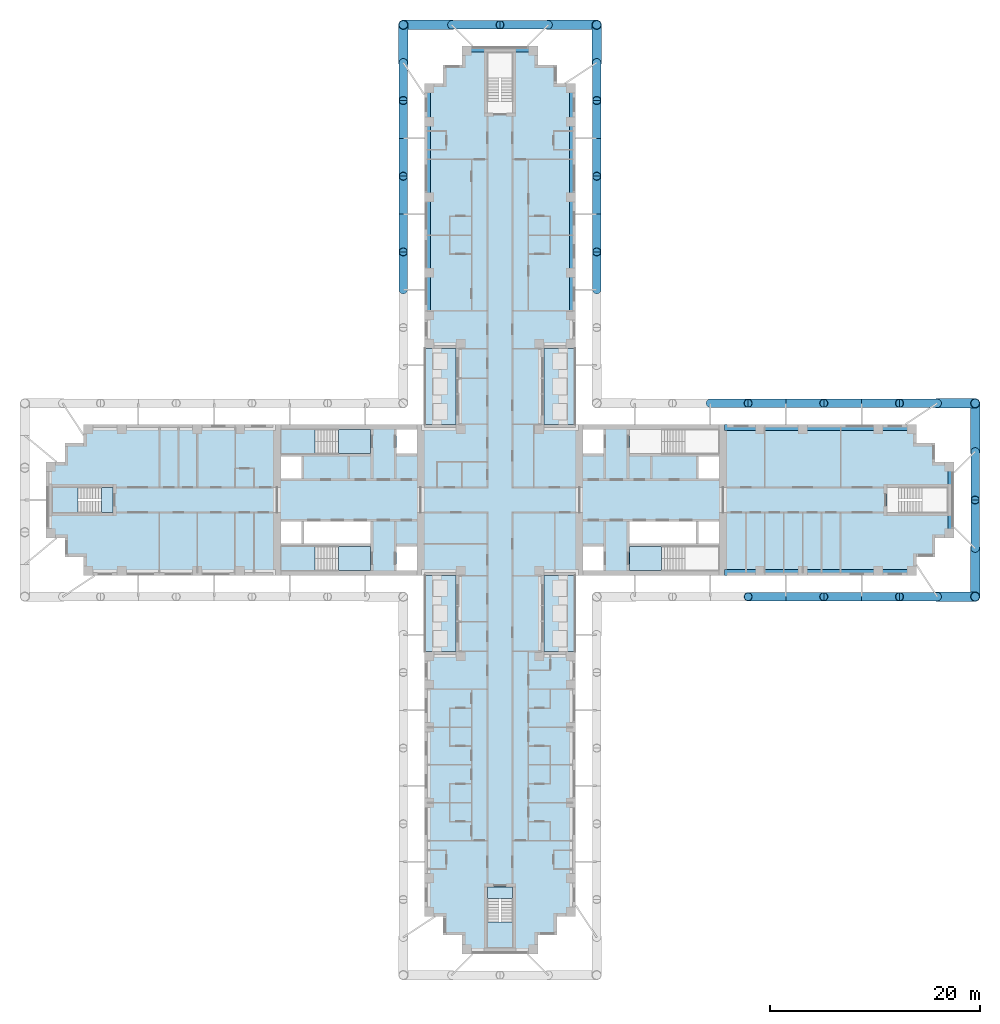
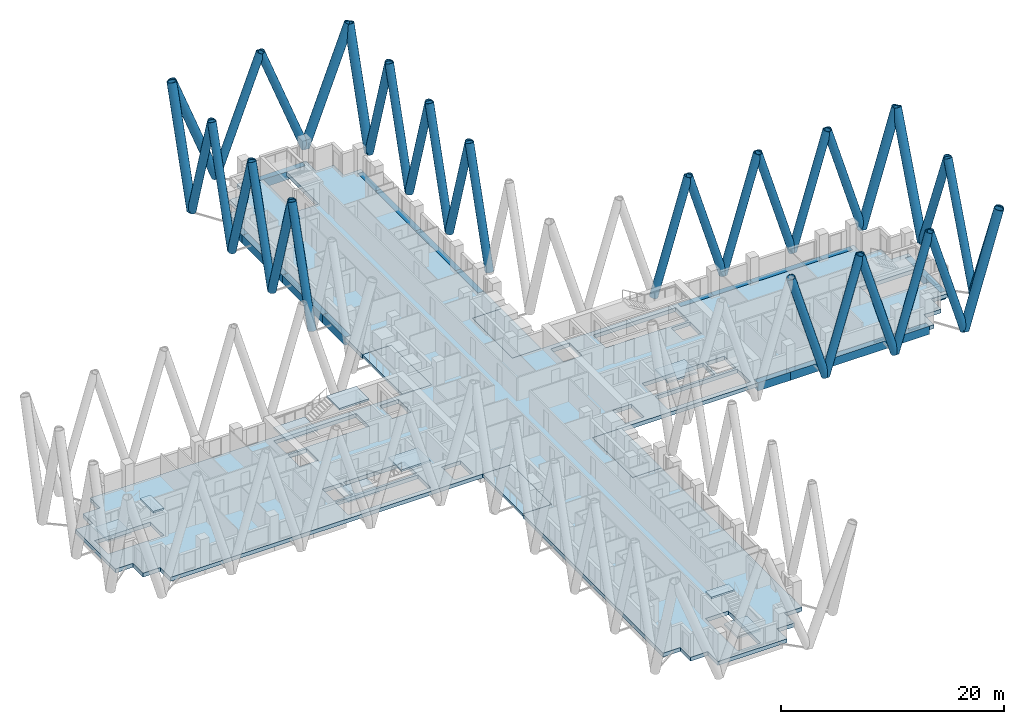
# One storey, part 2 of 16: 35 members, 18 beams, 14 slabs, 5 elements without a shape of their own.
"""IFC4 building model written with IfcOpenShell, lengths in metres."""

from ifc_helpers import new_model, si_unit, direction, frame, origin, origin_2d, place, context, subcontext, project, spatial, polyline, rectangle, hollow_circle, outline, extrude, material, layer, layer_set, material_profile, profile_set, type_object, element, aggregate, save


model = new_model("IFC4")

# Units and contexts
model_context = context("Model", 3, precision=1e-05, world=origin(), true_north=direction((0.0, 1.0)))
body_context = subcontext(model_context, "Body", "Model", "MODEL_VIEW")
ifc_project = project(units=[si_unit("LENGTHUNIT", "METRE"), si_unit("AREAUNIT", "SQUARE_METRE"), si_unit("VOLUMEUNIT", "CUBIC_METRE"), si_unit("PLANEANGLEUNIT", "RADIAN"), si_unit("MASSUNIT", "GRAM", prefix="KILO")], contexts=[model_context])

# Site, building, storey
site_placement = place(None, origin())
site = spatial("IfcSite", under=ifc_project, at=site_placement, CompositionType="ELEMENT")
building_placement = place(site_placement, origin())
building = spatial("IfcBuilding", under=site, at=building_placement, Name="Fustian Cross Tower", CompositionType="ELEMENT")
storey_placement = place(building_placement, frame((0.0, 0.0, 20.699951171875)))
storey = spatial("IfcBuildingStorey", under=building, at=storey_placement, Name="L05", CompositionType="ELEMENT", Elevation=20.699951171875)

# Members
ifc_material_1 = material(Name="Steel S355", Category="steel")
ifc_material_profile_1 = material_profile(ifc_material_1, hollow_circle(Radius=0.406494140625, WallThickness=0.0400390625, at=origin_2d()), Name="CHS 813x40")
ifc_profile_set_1 = profile_set([ifc_material_profile_1], Name="Steel S355")
member_type_1 = type_object("IfcMemberType", Name="DIAGRID DIAGONAL CHS 813x40", PredefinedType="BRACE", material=ifc_profile_set_1)
for number, where, z_axis, x_axis, name in (
    (1, (27.199951171875, -9.199951171875, 0.0), (-0.287337158709, 0.0, 0.957829503213), (0.0, -1.0, 0.0), "Diagrid diagonal E-S 05"),
    (2, (27.199951171875, -9.199951171875, 0.0), (0.287355036744, 0.0, 0.957824139839), (0.0, 1.0, 0.0), "Diagrid diagonal E-S 06"),
    (3, (34.39990234375, -9.199951171875, 0.0), (-0.287337158709, 0.0, 0.957829503213), (0.0, -1.0, 0.0), "Diagrid diagonal E-S 07"),
    (4, (34.39990234375, -9.199951171875, 0.0), (0.287355036744, 0.0, 0.957824139839), (0.0, 1.0, 0.0), "Diagrid diagonal E-S 08"),
    (5, (41.60009765625, -9.199951171875, 0.0), (-0.287355036744, 0.0, 0.957824139839), (0.0, -1.0, 0.0), "Diagrid diagonal E-S 09"),
):
    element("IfcMember", number, at=place(storey_placement, frame(where, z_axis=z_axis, x_axis=x_axis)), inside=storey, type_object=member_type_1, Name=name, PredefinedType="BRACE", context=body_context, shape_type="SweptSolid", body=[
        extrude(hollow_circle(Radius=0.406494140625, WallThickness=0.0400390625, at=origin_2d()), origin(), (0.0, 0.0, 1.0), 12.5283203125),
    ])
for number, where, z_axis, x_axis, name in (
    (6, (45.199951171875, -4.60009765625, 0.0), (0.0, 0.3579426369, 0.933743577589), (-1.0, 0.0, 0.0), "Diagrid diagonal E-end 02"),
    (7, (45.199951171875, 4.60009765625, 0.0), (0.0, -0.3579426369, 0.933743577589), (1.0, 0.0, 0.0), "Diagrid diagonal E-end 03"),
):
    element("IfcMember", number, at=place(storey_placement, frame(where, z_axis=z_axis, x_axis=x_axis)), inside=storey, type_object=member_type_1, Name=name, PredefinedType="BRACE", context=body_context, shape_type="SweptSolid", body=[
        extrude(hollow_circle(Radius=0.406494140625, WallThickness=0.0400390625, at=origin_2d()), origin(), (0.0, 0.0, 1.0), 12.8515625),
    ])
for number, where, z_axis, x_axis, name in (
    (8, (41.60009765625, 9.199951171875, 0.0), (-0.287355036744, 0.0, 0.957824139839), (0.0, -1.0, 0.0), "Diagrid diagonal E-N 02"),
    (9, (34.39990234375, 9.199951171875, 0.0), (0.287355036744, 0.0, 0.957824139839), (0.0, 1.0, 0.0), "Diagrid diagonal E-N 03"),
    (10, (34.39990234375, 9.199951171875, 0.0), (-0.287337158709, 0.0, 0.957829503213), (0.0, -1.0, 0.0), "Diagrid diagonal E-N 04"),
    (11, (27.199951171875, 9.199951171875, 0.0), (0.287355036744, 0.0, 0.957824139839), (0.0, 1.0, 0.0), "Diagrid diagonal E-N 05"),
    (12, (27.199951171875, 9.199951171875, 0.0), (-0.287337158709, 0.0, 0.957829503213), (0.0, -1.0, 0.0), "Diagrid diagonal E-N 06"),
    (13, (20.0, 9.199951171875, 0.0), (0.287355036744, 0.0, 0.957824139839), (0.0, 1.0, 0.0), "Diagrid diagonal E-N 07"),
    (14, (9.199951171875, 20.0, 0.0), (0.0, 0.287355036744, 0.957824139839), (-1.0, 0.0, 0.0), "Diagrid diagonal N-E 04"),
    (15, (9.199951171875, 27.199951171875, 0.0), (0.0, -0.287337158709, 0.957829503213), (1.0, 0.0, 0.0), "Diagrid diagonal N-E 05"),
    (16, (9.199951171875, 27.199951171875, 0.0), (0.0, 0.287355036744, 0.957824139839), (-1.0, 0.0, 0.0), "Diagrid diagonal N-E 06"),
    (17, (9.199951171875, 34.39990234375, 0.0), (0.0, -0.287337158709, 0.957829503213), (1.0, 0.0, 0.0), "Diagrid diagonal N-E 07"),
    (18, (9.199951171875, 34.39990234375, 0.0), (0.0, 0.287355036744, 0.957824139839), (-1.0, 0.0, 0.0), "Diagrid diagonal N-E 08"),
    (19, (9.199951171875, 41.60009765625, 0.0), (0.0, -0.287355036744, 0.957824139839), (1.0, 0.0, 0.0), "Diagrid diagonal N-E 09"),
):
    element("IfcMember", number, at=place(storey_placement, frame(where, z_axis=z_axis, x_axis=x_axis)), inside=storey, type_object=member_type_1, Name=name, PredefinedType="BRACE", context=body_context, shape_type="SweptSolid", body=[
        extrude(hollow_circle(Radius=0.406494140625, WallThickness=0.0400390625, at=origin_2d()), origin(), (0.0, 0.0, 1.0), 12.5283203125),
    ])
for number, where, z_axis, x_axis, name in (
    (20, (4.60009765625, 45.199951171875, 0.0), (-0.3579426369, 0.0, 0.933743577589), (0.0, -1.0, 0.0), "Diagrid diagonal N-end 02"),
    (21, (-4.60009765625, 45.199951171875, 0.0), (0.3579426369, 0.0, 0.933743577589), (0.0, 1.0, 0.0), "Diagrid diagonal N-end 03"),
):
    element("IfcMember", number, at=place(storey_placement, frame(where, z_axis=z_axis, x_axis=x_axis)), inside=storey, type_object=member_type_1, Name=name, PredefinedType="BRACE", context=body_context, shape_type="SweptSolid", body=[
        extrude(hollow_circle(Radius=0.406494140625, WallThickness=0.0400390625, at=origin_2d()), origin(), (0.0, 0.0, 1.0), 12.8515625),
    ])
for number, where, z_axis, x_axis, name in (
    (22, (-9.199951171875, 41.60009765625, 0.0), (0.0, -0.287355036744, 0.957824139839), (1.0, 0.0, 0.0), "Diagrid diagonal N-W 02"),
    (23, (-9.199951171875, 34.39990234375, 0.0), (0.0, 0.287355036744, 0.957824139839), (-1.0, 0.0, 0.0), "Diagrid diagonal N-W 03"),
    (24, (-9.199951171875, 34.39990234375, 0.0), (0.0, -0.287337158709, 0.957829503213), (1.0, 0.0, 0.0), "Diagrid diagonal N-W 04"),
    (25, (-9.199951171875, 27.199951171875, 0.0), (0.0, 0.287355036744, 0.957824139839), (-1.0, 0.0, 0.0), "Diagrid diagonal N-W 05"),
    (26, (-9.199951171875, 27.199951171875, 0.0), (0.0, -0.287337158709, 0.957829503213), (1.0, 0.0, 0.0), "Diagrid diagonal N-W 06"),
    (27, (-9.199951171875, 20.0, 0.0), (0.0, 0.287355036744, 0.957824139839), (-1.0, 0.0, 0.0), "Diagrid diagonal N-W 07"),
):
    element("IfcMember", number, at=place(storey_placement, frame(where, z_axis=z_axis, x_axis=x_axis)), inside=storey, type_object=member_type_1, Name=name, PredefinedType="BRACE", context=body_context, shape_type="SweptSolid", body=[
        extrude(hollow_circle(Radius=0.406494140625, WallThickness=0.0400390625, at=origin_2d()), origin(), (0.0, 0.0, 1.0), 12.5283203125),
    ])
ifc_material_2 = material(Name="Steel S355", Category="steel")
ifc_material_profile_2 = material_profile(ifc_material_2, hollow_circle(Radius=0.457275390625, WallThickness=0.050048828125, at=origin_2d()), Name="CHS 914x50")
ifc_profile_set_2 = profile_set([ifc_material_profile_2], Name="Steel S355")
member_type_2 = type_object("IfcMemberType", Name="DIAGRID DIAGONAL CHS 914x50", PredefinedType="BRACE", material=ifc_profile_set_2)
member_1_placement = place(storey_placement, frame((41.60009765625, -9.199951171875, 0.0), z_axis=(0.287337158709, 0.0, 0.957829503213), x_axis=(0.0, 1.0, 0.0)))
element("IfcMember", 28, at=member_1_placement, inside=storey, type_object=member_type_2, Name="Diagrid diagonal E-S 10", PredefinedType="BRACE", context=body_context, shape_type="SweptSolid", body=[
    extrude(hollow_circle(Radius=0.457275390625, WallThickness=0.050048828125, at=origin_2d()), origin(), (0.0, 0.0, 1.0), 12.5283203125),
])
for number, where, z_axis, x_axis, name in (
    (29, (45.199951171875, -4.60009765625, 0.0), (0.0, -0.357926073629, 0.933749926809), (1.0, 0.0, 0.0), "Diagrid diagonal E-end 01"),
    (30, (45.199951171875, 4.60009765625, 0.0), (0.0, 0.357926073629, 0.933749926809), (-1.0, 0.0, 0.0), "Diagrid diagonal E-end 04"),
):
    element("IfcMember", number, at=place(storey_placement, frame(where, z_axis=z_axis, x_axis=x_axis)), inside=storey, type_object=member_type_2, Name=name, PredefinedType="BRACE", context=body_context, shape_type="SweptSolid", body=[
        extrude(hollow_circle(Radius=0.457275390625, WallThickness=0.050048828125, at=origin_2d()), origin(), (0.0, 0.0, 1.0), 12.851318359375),
    ])
for number, where, z_axis, x_axis, name in (
    (31, (41.60009765625, 9.199951171875, 0.0), (0.287337158709, 0.0, 0.957829503213), (0.0, 1.0, 0.0), "Diagrid diagonal E-N 01"),
    (32, (9.199951171875, 41.60009765625, 0.0), (0.0, 0.287337158709, 0.957829503213), (-1.0, 0.0, 0.0), "Diagrid diagonal N-E 10"),
):
    element("IfcMember", number, at=place(storey_placement, frame(where, z_axis=z_axis, x_axis=x_axis)), inside=storey, type_object=member_type_2, Name=name, PredefinedType="BRACE", context=body_context, shape_type="SweptSolid", body=[
        extrude(hollow_circle(Radius=0.457275390625, WallThickness=0.050048828125, at=origin_2d()), origin(), (0.0, 0.0, 1.0), 12.5283203125),
    ])
for number, where, z_axis, x_axis, name in (
    (33, (4.60009765625, 45.199951171875, 0.0), (0.357926073629, 0.0, 0.933749926809), (0.0, 1.0, 0.0), "Diagrid diagonal N-end 01"),
    (34, (-4.60009765625, 45.199951171875, 0.0), (-0.357926073629, 0.0, 0.933749926809), (0.0, -1.0, 0.0), "Diagrid diagonal N-end 04"),
):
    element("IfcMember", number, at=place(storey_placement, frame(where, z_axis=z_axis, x_axis=x_axis)), inside=storey, type_object=member_type_2, Name=name, PredefinedType="BRACE", context=body_context, shape_type="SweptSolid", body=[
        extrude(hollow_circle(Radius=0.457275390625, WallThickness=0.050048828125, at=origin_2d()), origin(), (0.0, 0.0, 1.0), 12.851318359375),
    ])
member_2_placement = place(storey_placement, frame((-9.199951171875, 41.60009765625, 0.0), z_axis=(0.0, 0.287337158709, 0.957829503213), x_axis=(-1.0, 0.0, 0.0)))
element("IfcMember", 35, at=member_2_placement, inside=storey, type_object=member_type_2, Name="Diagrid diagonal N-W 01", PredefinedType="BRACE", context=body_context, shape_type="SweptSolid", body=[
    extrude(hollow_circle(Radius=0.457275390625, WallThickness=0.050048828125, at=origin_2d()), origin(), (0.0, 0.0, 1.0), 12.5283203125),
])

# Beams
ifc_material_3 = material(Name="Concrete C50/60", Category="concrete")
ifc_material_profile_3 = material_profile(ifc_material_3, rectangle(XDim=0.60009765625, YDim=0.89990234375, at=origin_2d()), Name="RC 600x900")
ifc_profile_set_3 = profile_set([ifc_material_profile_3], Name="Concrete C50/60")
beam_type = type_object("IfcBeamType", Name="EDGE BEAM RC 600x900 C50/60", PredefinedType="SPANDREL", material=ifc_profile_set_3)
beam_1_placement = place(storey_placement, frame((21.35009765625, -6.89990234375, -0.449951171875), z_axis=(1.0, 0.0, 0.0), x_axis=(0.0, 1.0, 0.0)))
element("IfcBeam", 36, at=beam_1_placement, inside=storey, type_object=beam_type, Name="EDGE BEAM L05-01", PredefinedType="SPANDREL", context=body_context, shape_type="SweptSolid", body=[
    extrude(rectangle(XDim=0.60009765625, YDim=0.89990234375, at=origin_2d()), origin(), (0.0, 0.0, 1.0), 3.39990234375),
])
beam_2_placement = place(storey_placement, frame((24.75, -6.89990234375, -0.449951171875), z_axis=(1.0, 0.0, 0.0), x_axis=(0.0, 1.0, 0.0)))
element("IfcBeam", 37, at=beam_2_placement, inside=storey, type_object=beam_type, Name="EDGE BEAM L05-02", PredefinedType="SPANDREL", context=body_context, shape_type="SweptSolid", body=[
    extrude(rectangle(XDim=0.60009765625, YDim=0.89990234375, at=origin_2d()), origin(), (0.0, 0.0, 1.0), 4.050048828125),
])
beam_3_placement = place(storey_placement, frame((28.800048828125, -6.89990234375, -0.449951171875), z_axis=(1.0, 0.0, 0.0), x_axis=(0.0, 1.0, 0.0)))
element("IfcBeam", 38, at=beam_3_placement, inside=storey, type_object=beam_type, Name="EDGE BEAM L05-03", PredefinedType="SPANDREL", context=body_context, shape_type="SweptSolid", body=[
    extrude(rectangle(XDim=0.60009765625, YDim=0.89990234375, at=origin_2d()), origin(), (0.0, 0.0, 1.0), 7.199951171875),
])
beam_4_placement = place(storey_placement, frame((36.0, -6.89990234375, -0.449951171875), z_axis=(1.0, 0.0, 0.0), x_axis=(0.0, 1.0, 0.0)))
element("IfcBeam", 39, at=beam_4_placement, inside=storey, type_object=beam_type, Name="EDGE BEAM L05-04", PredefinedType="SPANDREL", context=body_context, shape_type="SweptSolid", body=[
    extrude(rectangle(XDim=0.60009765625, YDim=0.89990234375, at=origin_2d()), origin(), (0.0, 0.0, 1.0), 3.14990234375),
])
beam_5_placement = place(storey_placement, frame((42.89990234375, -3.14990234375, -0.449951171875), z_axis=(0.0, 1.0, 0.0), x_axis=(-1.0, 0.0, 0.0)))
element("IfcBeam", 40, at=beam_5_placement, inside=storey, type_object=beam_type, Name="EDGE BEAM L05-05", PredefinedType="SPANDREL", context=body_context, shape_type="SweptSolid", body=[
    extrude(rectangle(XDim=0.60009765625, YDim=0.89990234375, at=origin_2d()), origin(), (0.0, 0.0, 1.0), 6.2998046875),
])
beam_6_placement = place(storey_placement, frame((39.14990234375, 6.89990234375, -0.449951171875), z_axis=(-1.0, 0.0, 0.0), x_axis=(0.0, -1.0, 0.0)))
element("IfcBeam", 41, at=beam_6_placement, inside=storey, type_object=beam_type, Name="EDGE BEAM L05-06", PredefinedType="SPANDREL", context=body_context, shape_type="SweptSolid", body=[
    extrude(rectangle(XDim=0.60009765625, YDim=0.89990234375, at=origin_2d()), origin(), (0.0, 0.0, 1.0), 3.14990234375),
])
beam_7_placement = place(storey_placement, frame((36.0, 6.89990234375, -0.449951171875), z_axis=(-1.0, 0.0, 0.0), x_axis=(0.0, -1.0, 0.0)))
element("IfcBeam", 42, at=beam_7_placement, inside=storey, type_object=beam_type, Name="EDGE BEAM L05-07", PredefinedType="SPANDREL", context=body_context, shape_type="SweptSolid", body=[
    extrude(rectangle(XDim=0.60009765625, YDim=0.89990234375, at=origin_2d()), origin(), (0.0, 0.0, 1.0), 7.199951171875),
])
beam_8_placement = place(storey_placement, frame((28.800048828125, 6.89990234375, -0.449951171875), z_axis=(-1.0, 0.0, 0.0), x_axis=(0.0, -1.0, 0.0)))
element("IfcBeam", 43, at=beam_8_placement, inside=storey, type_object=beam_type, Name="EDGE BEAM L05-08", PredefinedType="SPANDREL", context=body_context, shape_type="SweptSolid", body=[
    extrude(rectangle(XDim=0.60009765625, YDim=0.89990234375, at=origin_2d()), origin(), (0.0, 0.0, 1.0), 4.050048828125),
])
beam_9_placement = place(storey_placement, frame((24.75, 6.89990234375, -0.449951171875), z_axis=(-1.0, 0.0, 0.0), x_axis=(0.0, -1.0, 0.0)))
element("IfcBeam", 44, at=beam_9_placement, inside=storey, type_object=beam_type, Name="EDGE BEAM L05-09", PredefinedType="SPANDREL", context=body_context, shape_type="SweptSolid", body=[
    extrude(rectangle(XDim=0.60009765625, YDim=0.89990234375, at=origin_2d()), origin(), (0.0, 0.0, 1.0), 3.39990234375),
])
beam_10_placement = place(storey_placement, frame((6.89990234375, 17.550048828125, -0.449951171875), z_axis=(0.0, 1.0, 0.0), x_axis=(-1.0, 0.0, 0.0)))
element("IfcBeam", 45, at=beam_10_placement, inside=storey, type_object=beam_type, Name="EDGE BEAM L05-14", PredefinedType="SPANDREL", context=body_context, shape_type="SweptSolid", body=[
    extrude(rectangle(XDim=0.60009765625, YDim=0.89990234375, at=origin_2d()), origin(), (0.0, 0.0, 1.0), 4.050048828125),
])
for number, where, z_axis, x_axis, name in (
    (46, (6.89990234375, 21.60009765625, -0.449951171875), (0.0, 1.0, 0.0), (-1.0, 0.0, 0.0), "EDGE BEAM L05-15"),
    (47, (6.89990234375, 28.800048828125, -0.449951171875), (0.0, 1.0, 0.0), (-1.0, 0.0, 0.0), "EDGE BEAM L05-16"),
):
    element("IfcBeam", number, at=place(storey_placement, frame(where, z_axis=z_axis, x_axis=x_axis)), inside=storey, type_object=beam_type, Name=name, PredefinedType="SPANDREL", context=body_context, shape_type="SweptSolid", body=[
        extrude(rectangle(XDim=0.60009765625, YDim=0.89990234375, at=origin_2d()), origin(), (0.0, 0.0, 1.0), 7.199951171875),
    ])
beam_11_placement = place(storey_placement, frame((6.89990234375, 36.0, -0.449951171875), z_axis=(0.0, 1.0, 0.0), x_axis=(-1.0, 0.0, 0.0)))
element("IfcBeam", 48, at=beam_11_placement, inside=storey, type_object=beam_type, Name="EDGE BEAM L05-17", PredefinedType="SPANDREL", context=body_context, shape_type="SweptSolid", body=[
    extrude(rectangle(XDim=0.60009765625, YDim=0.89990234375, at=origin_2d()), origin(), (0.0, 0.0, 1.0), 3.14990234375),
])
beam_12_placement = place(storey_placement, frame((3.14990234375, 42.89990234375, -0.449951171875), z_axis=(-1.0, 0.0, 0.0), x_axis=(0.0, -1.0, 0.0)))
element("IfcBeam", 49, at=beam_12_placement, inside=storey, type_object=beam_type, Name="EDGE BEAM L05-18", PredefinedType="SPANDREL", context=body_context, shape_type="SweptSolid", body=[
    extrude(rectangle(XDim=0.60009765625, YDim=0.89990234375, at=origin_2d()), origin(), (0.0, 0.0, 1.0), 6.2998046875),
])
beam_13_placement = place(storey_placement, frame((-6.89990234375, 39.14990234375, -0.449951171875), z_axis=(0.0, -1.0, 0.0), x_axis=(1.0, 0.0, 0.0)))
element("IfcBeam", 50, at=beam_13_placement, inside=storey, type_object=beam_type, Name="EDGE BEAM L05-19", PredefinedType="SPANDREL", context=body_context, shape_type="SweptSolid", body=[
    extrude(rectangle(XDim=0.60009765625, YDim=0.89990234375, at=origin_2d()), origin(), (0.0, 0.0, 1.0), 3.14990234375),
])
for number, where, z_axis, x_axis, name in (
    (51, (-6.89990234375, 36.0, -0.449951171875), (0.0, -1.0, 0.0), (1.0, 0.0, 0.0), "EDGE BEAM L05-20"),
    (52, (-6.89990234375, 28.800048828125, -0.449951171875), (0.0, -1.0, 0.0), (1.0, 0.0, 0.0), "EDGE BEAM L05-21"),
):
    element("IfcBeam", number, at=place(storey_placement, frame(where, z_axis=z_axis, x_axis=x_axis)), inside=storey, type_object=beam_type, Name=name, PredefinedType="SPANDREL", context=body_context, shape_type="SweptSolid", body=[
        extrude(rectangle(XDim=0.60009765625, YDim=0.89990234375, at=origin_2d()), origin(), (0.0, 0.0, 1.0), 7.199951171875),
    ])
beam_14_placement = place(storey_placement, frame((-6.89990234375, 21.60009765625, -0.449951171875), z_axis=(0.0, -1.0, 0.0), x_axis=(1.0, 0.0, 0.0)))
element("IfcBeam", 53, at=beam_14_placement, inside=storey, type_object=beam_type, Name="EDGE BEAM L05-22", PredefinedType="SPANDREL", context=body_context, shape_type="SweptSolid", body=[
    extrude(rectangle(XDim=0.60009765625, YDim=0.89990234375, at=origin_2d()), origin(), (0.0, 0.0, 1.0), 4.050048828125),
])

# Slabs
ifc_material_4 = material(Name="Concrete C40/50", Category="concrete")
ifc_layer_1 = layer(ifc_material_4, 0.300048828125)
ifc_layer_set_1 = layer_set([ifc_layer_1], Name="Concrete C40/50")
slab_type_1 = type_object("IfcSlabType", Name="BS1 BALCONY SLAB 300", PredefinedType="FLOOR", material=ifc_layer_set_1)
slab_1_placement = place(storey_placement, frame((0.0, 0.0, -0.300048828125)))
element("IfcSlab", 54, at=slab_1_placement, inside=storey, type_object=slab_type_1, Name="Balcony slab", PredefinedType="FLOOR", context=body_context, shape_type="SweptSolid", body=[
    extrude(outline(polyline([(4.199951171875, 7.199951171875), (7.199951171875, 7.199951171875), (7.199951171875, 14.39990234375), (4.199951171875, 14.39990234375), (4.199951171875, 7.199951171875)])), origin(), (0.0, 0.0, 1.0), 0.300048828125),
])
slab_2_placement = place(storey_placement, frame((0.0, 0.0, -0.300048828125)))
element("IfcSlab", 55, at=slab_2_placement, inside=storey, type_object=slab_type_1, Name="Balcony slab", PredefinedType="FLOOR", context=body_context, shape_type="SweptSolid", body=[
    extrude(outline(polyline([(-7.199951171875, 7.199951171875), (-4.199951171875, 7.199951171875), (-4.199951171875, 14.39990234375), (-7.199951171875, 14.39990234375), (-7.199951171875, 7.199951171875)])), origin(), (0.0, 0.0, 1.0), 0.300048828125),
])
slab_3_placement = place(storey_placement, frame((0.0, 0.0, -0.300048828125)))
element("IfcSlab", 56, at=slab_3_placement, inside=storey, type_object=slab_type_1, Name="Balcony slab", PredefinedType="FLOOR", context=body_context, shape_type="SweptSolid", body=[
    extrude(outline(polyline([(4.199951171875, -14.39990234375), (7.199951171875, -14.39990234375), (7.199951171875, -7.199951171875), (4.199951171875, -7.199951171875), (4.199951171875, -14.39990234375)])), origin(), (0.0, 0.0, 1.0), 0.300048828125),
])
slab_4_placement = place(storey_placement, frame((0.0, 0.0, -0.300048828125)))
element("IfcSlab", 57, at=slab_4_placement, inside=storey, type_object=slab_type_1, Name="Balcony slab", PredefinedType="FLOOR", context=body_context, shape_type="SweptSolid", body=[
    extrude(outline(polyline([(-7.199951171875, -14.39990234375), (-4.199951171875, -14.39990234375), (-4.199951171875, -7.199951171875), (-7.199951171875, -7.199951171875), (-7.199951171875, -14.39990234375)])), origin(), (0.0, 0.0, 1.0), 0.300048828125),
])
ifc_material_5 = material(Name="Concrete C40/50", Category="concrete")
ifc_layer_2 = layer(ifc_material_5, 0.425048828125)
ifc_layer_set_2 = layer_set([ifc_layer_2], Name="Concrete C40/50")
slab_type_2 = type_object("IfcSlabType", Name="FLAT SLAB 425", PredefinedType="FLOOR", material=ifc_layer_set_2)
slab_5_placement = place(storey_placement, frame((0.0, 0.0, -0.425048828125)))
element("IfcSlab", 58, at=slab_5_placement, inside=storey, type_object=slab_type_2, Name="FLOOR SLAB L05-1", PredefinedType="FLOOR", context=body_context, shape_type="SweptSolid", body=[
    extrude(outline(polyline([(-4.199951171875, -7.199951171875), (-39.60009765625, -7.199951171875), (-39.60009765625, -5.39990234375), (-41.39990234375, -5.39990234375), (-41.39990234375, -3.60009765625), (-43.199951171875, -3.60009765625), (-43.199951171875, 3.60009765625), (-41.39990234375, 3.60009765625), (-41.39990234375, 5.39990234375), (-39.60009765625, 5.39990234375), (-39.60009765625, 7.199951171875), (-4.199951171875, 7.199951171875), (-4.199951171875, 14.39990234375), (-7.199951171875, 14.39990234375), (-7.199951171875, 39.60009765625), (-5.39990234375, 39.60009765625), (-5.39990234375, 41.39990234375), (-3.60009765625, 41.39990234375), (-3.60009765625, 43.199951171875), (3.60009765625, 43.199951171875), (3.60009765625, 41.39990234375), (5.39990234375, 41.39990234375), (5.39990234375, 39.60009765625), (7.199951171875, 39.60009765625), (7.199951171875, 14.39990234375), (4.199951171875, 14.39990234375), (4.199951171875, 7.199951171875), (39.60009765625, 7.199951171875), (39.60009765625, 5.39990234375), (41.39990234375, 5.39990234375), (41.39990234375, 3.60009765625), (43.199951171875, 3.60009765625), (43.199951171875, -3.60009765625), (41.39990234375, -3.60009765625), (41.39990234375, -5.39990234375), (39.60009765625, -5.39990234375), (39.60009765625, -7.199951171875), (4.199951171875, -7.199951171875), (4.199951171875, -14.39990234375), (7.199951171875, -14.39990234375), (7.199951171875, -39.60009765625), (5.39990234375, -39.60009765625), (5.39990234375, -41.39990234375), (3.60009765625, -41.39990234375), (3.60009765625, -43.199951171875), (-3.60009765625, -43.199951171875), (-3.60009765625, -41.39990234375), (-5.39990234375, -41.39990234375), (-5.39990234375, -39.60009765625), (-7.199951171875, -39.60009765625), (-7.199951171875, -14.39990234375), (-4.199951171875, -14.39990234375), (-4.199951171875, -7.199951171875)]), holes=[polyline([(18.89990234375, -2.050048828125), (18.89990234375, -4.14990234375), (20.85009765625, -4.14990234375), (20.85009765625, -2.050048828125), (18.89990234375, -2.050048828125)]), polyline([(20.85009765625, 4.14990234375), (18.89990234375, 4.14990234375), (18.89990234375, 2.050048828125), (20.85009765625, 2.050048828125), (20.85009765625, 4.14990234375)]), polyline([(9.85009765625, 4.39990234375), (9.85009765625, 6.699951171875), (7.89990234375, 6.699951171875), (7.89990234375, 4.39990234375), (9.85009765625, 4.39990234375)]), polyline([(7.89990234375, -6.699951171875), (9.85009765625, -6.699951171875), (9.85009765625, -4.39990234375), (7.89990234375, -4.39990234375), (7.89990234375, -6.699951171875)]), polyline([(-20.85009765625, -2.050048828125), (-20.85009765625, -4.14990234375), (-18.89990234375, -4.14990234375), (-18.89990234375, -2.050048828125), (-20.85009765625, -2.050048828125)]), polyline([(-18.89990234375, 4.14990234375), (-20.85009765625, 4.14990234375), (-20.85009765625, 2.050048828125), (-18.89990234375, 2.050048828125), (-18.89990234375, 4.14990234375)]), polyline([(-7.89990234375, 4.39990234375), (-7.89990234375, 6.699951171875), (-9.85009765625, 6.699951171875), (-9.85009765625, 4.39990234375), (-7.89990234375, 4.39990234375)]), polyline([(-9.85009765625, -6.699951171875), (-7.89990234375, -6.699951171875), (-7.89990234375, -4.39990234375), (-9.85009765625, -4.39990234375), (-9.85009765625, -6.699951171875)]), polyline([(12.300048828125, -2.050048828125), (12.300048828125, -4.14990234375), (18.64990234375, -4.14990234375), (18.64990234375, -2.050048828125), (12.300048828125, -2.050048828125)]), polyline([(-12.300048828125, -2.050048828125), (-18.64990234375, -2.050048828125), (-18.64990234375, -4.14990234375), (-12.300048828125, -4.14990234375), (-12.300048828125, -2.050048828125)]), polyline([(20.85009765625, 4.39990234375), (20.85009765625, 6.699951171875), (12.300048828125, 6.699951171875), (12.300048828125, 4.39990234375), (20.85009765625, 4.39990234375)]), polyline([(12.300048828125, -6.699951171875), (20.85009765625, -6.699951171875), (20.85009765625, -4.39990234375), (12.300048828125, -4.39990234375), (12.300048828125, -6.699951171875)]), polyline([(-20.85009765625, 6.699951171875), (-20.85009765625, 4.39990234375), (-12.300048828125, 4.39990234375), (-12.300048828125, 6.699951171875), (-20.85009765625, 6.699951171875)]), polyline([(-12.300048828125, -4.39990234375), (-20.85009765625, -4.39990234375), (-20.85009765625, -6.699951171875), (-12.300048828125, -6.699951171875), (-12.300048828125, -4.39990234375)]), polyline([(1.199951171875, 36.800048828125), (1.199951171875, 42.60009765625), (-1.199951171875, 42.60009765625), (-1.199951171875, 36.800048828125), (1.199951171875, 36.800048828125)]), polyline([(-1.199951171875, -42.60009765625), (1.199951171875, -42.60009765625), (1.199951171875, -36.800048828125), (-1.199951171875, -36.800048828125), (-1.199951171875, -42.60009765625)]), polyline([(36.800048828125, 1.199951171875), (36.800048828125, -1.199951171875), (42.60009765625, -1.199951171875), (42.60009765625, 1.199951171875), (36.800048828125, 1.199951171875)]), polyline([(-36.800048828125, 1.199951171875), (-42.60009765625, 1.199951171875), (-42.60009765625, -1.199951171875), (-36.800048828125, -1.199951171875), (-36.800048828125, 1.199951171875)])]), origin(), (0.0, 0.0, 1.0), 0.425048828125),
])

# Stair, slab
ifc_material_6 = material(Name="Concrete C50/60", Category="concrete")
stair_type_1 = type_object("IfcStairType", Name="STAIR 1150 HALF TURN", PredefinedType="HALF_TURN_STAIR", material=ifc_material_6)
stair_1_placement = place(storey_placement, origin())
stair_1 = element("IfcStair", 59, at=stair_1_placement, inside=storey, type_object=stair_type_1, Name="Stair ST2", PredefinedType="HALF_TURN_STAIR")
ifc_material_7 = material(Name="Concrete C50/60", Category="concrete")
ifc_layer_3 = layer(ifc_material_7, 0.199951171875)
ifc_layer_set_3 = layer_set([ifc_layer_3], Name="Concrete C50/60")
slab_type_3 = type_object("IfcSlabType", Name="STAIR LANDING", PredefinedType="LANDING", material=ifc_layer_set_3)
slab_6_placement = place(storey_placement, frame((0.0, 0.0, 2.800048828125)))
slab_6 = element("IfcSlab", 60, at=slab_6_placement, type_object=slab_type_3, Name="ST2 landing 2", PredefinedType="LANDING", context=body_context, shape_type="SweptSolid", body=[
    extrude(outline(polyline([(12.300048828125, -4.39990234375), (15.35009765625, -4.39990234375), (15.35009765625, -6.699951171875), (12.300048828125, -6.699951171875), (12.300048828125, -4.39990234375)])), origin(), (0.0, 0.0, 1.0), 0.199951171875),
])
aggregate(stair_1, [slab_6])

# Stair, slabs
stair_2_placement = place(storey_placement, origin())
stair_2 = element("IfcStair", 61, at=stair_2_placement, inside=storey, type_object=stair_type_1, Name="Stair ST3", PredefinedType="HALF_TURN_STAIR")
slab_7_placement = place(storey_placement, frame((0.0, 0.0, 1.300048828125)))
slab_7 = element("IfcSlab", 62, at=slab_7_placement, type_object=slab_type_3, Name="ST3 landing 1", PredefinedType="LANDING", context=body_context, shape_type="SweptSolid", body=[
    extrude(outline(polyline([(-17.590087890625, 4.39990234375), (-20.85009765625, 4.39990234375), (-20.85009765625, 6.699951171875), (-17.590087890625, 6.699951171875), (-17.590087890625, 4.39990234375)])), origin(), (0.0, 0.0, 1.0), 0.199951171875),
])
slab_8_placement = place(storey_placement, frame((0.0, 0.0, 2.800048828125)))
slab_8 = element("IfcSlab", 63, at=slab_8_placement, type_object=slab_type_3, Name="ST3 landing 2", PredefinedType="LANDING", context=body_context, shape_type="SweptSolid", body=[
    extrude(outline(polyline([(-12.300048828125, 4.39990234375), (-15.35009765625, 4.39990234375), (-15.35009765625, 6.699951171875), (-12.300048828125, 6.699951171875), (-12.300048828125, 4.39990234375)])), origin(), (0.0, 0.0, 1.0), 0.199951171875),
])
aggregate(stair_2, [slab_7, slab_8])

stair_3_placement = place(storey_placement, origin())
stair_3 = element("IfcStair", 64, at=stair_3_placement, inside=storey, type_object=stair_type_1, Name="Stair ST4", PredefinedType="HALF_TURN_STAIR")
slab_9_placement = place(storey_placement, frame((0.0, 0.0, 1.300048828125)))
slab_9 = element("IfcSlab", 65, at=slab_9_placement, type_object=slab_type_3, Name="ST4 landing 1", PredefinedType="LANDING", context=body_context, shape_type="SweptSolid", body=[
    extrude(outline(polyline([(-17.590087890625, -4.39990234375), (-20.85009765625, -4.39990234375), (-20.85009765625, -6.699951171875), (-17.590087890625, -6.699951171875), (-17.590087890625, -4.39990234375)])), origin(), (0.0, 0.0, 1.0), 0.199951171875),
])
slab_10_placement = place(storey_placement, frame((0.0, 0.0, 2.800048828125)))
slab_10 = element("IfcSlab", 66, at=slab_10_placement, type_object=slab_type_3, Name="ST4 landing 2", PredefinedType="LANDING", context=body_context, shape_type="SweptSolid", body=[
    extrude(outline(polyline([(-12.300048828125, -4.39990234375), (-15.35009765625, -4.39990234375), (-15.35009765625, -6.699951171875), (-12.300048828125, -6.699951171875), (-12.300048828125, -4.39990234375)])), origin(), (0.0, 0.0, 1.0), 0.199951171875),
])
aggregate(stair_3, [slab_9, slab_10])

ifc_material_8 = material(Name="Concrete C50/60", Category="concrete")
stair_type_2 = type_object("IfcStairType", Name="STAIR 1100 HALF TURN", PredefinedType="HALF_TURN_STAIR", material=ifc_material_8)
stair_4_placement = place(storey_placement, origin())
stair_4 = element("IfcStair", 67, at=stair_4_placement, inside=storey, type_object=stair_type_2, Name="Stair ST6", PredefinedType="HALF_TURN_STAIR")
slab_11_placement = place(storey_placement, frame((0.0, 0.0, 1.300048828125)))
slab_11 = element("IfcSlab", 68, at=slab_11_placement, type_object=slab_type_3, Name="ST6 landing 1", PredefinedType="LANDING", context=body_context, shape_type="SweptSolid", body=[
    extrude(outline(polyline([(-1.199951171875, -40.139892578125), (-1.199951171875, -42.60009765625), (1.199951171875, -42.60009765625), (1.199951171875, -40.139892578125), (-1.199951171875, -40.139892578125)])), origin(), (0.0, 0.0, 1.0), 0.199951171875),
])
slab_12_placement = place(storey_placement, frame((0.0, 0.0, 2.800048828125)))
slab_12 = element("IfcSlab", 69, at=slab_12_placement, type_object=slab_type_3, Name="ST6 landing 2", PredefinedType="LANDING", context=body_context, shape_type="SweptSolid", body=[
    extrude(outline(polyline([(-1.199951171875, -36.800048828125), (-1.199951171875, -37.89990234375), (1.199951171875, -37.89990234375), (1.199951171875, -36.800048828125), (-1.199951171875, -36.800048828125)])), origin(), (0.0, 0.0, 1.0), 0.199951171875),
])
aggregate(stair_4, [slab_11, slab_12])

stair_5_placement = place(storey_placement, origin())
stair_5 = element("IfcStair", 70, at=stair_5_placement, inside=storey, type_object=stair_type_2, Name="Stair ST9", PredefinedType="HALF_TURN_STAIR")
slab_13_placement = place(storey_placement, frame((0.0, 0.0, 1.300048828125)))
slab_13 = element("IfcSlab", 71, at=slab_13_placement, type_object=slab_type_3, Name="ST9 landing 1", PredefinedType="LANDING", context=body_context, shape_type="SweptSolid", body=[
    extrude(outline(polyline([(-40.139892578125, -1.199951171875), (-42.60009765625, -1.199951171875), (-42.60009765625, 1.199951171875), (-40.139892578125, 1.199951171875), (-40.139892578125, -1.199951171875)])), origin(), (0.0, 0.0, 1.0), 0.199951171875),
])
slab_14_placement = place(storey_placement, frame((0.0, 0.0, 2.800048828125)))
slab_14 = element("IfcSlab", 72, at=slab_14_placement, type_object=slab_type_3, Name="ST9 landing 2", PredefinedType="LANDING", context=body_context, shape_type="SweptSolid", body=[
    extrude(outline(polyline([(-36.800048828125, -1.199951171875), (-37.89990234375, -1.199951171875), (-37.89990234375, 1.199951171875), (-36.800048828125, 1.199951171875), (-36.800048828125, -1.199951171875)])), origin(), (0.0, 0.0, 1.0), 0.199951171875),
])
aggregate(stair_5, [slab_13, slab_14])

save(model, "model.ifc")
